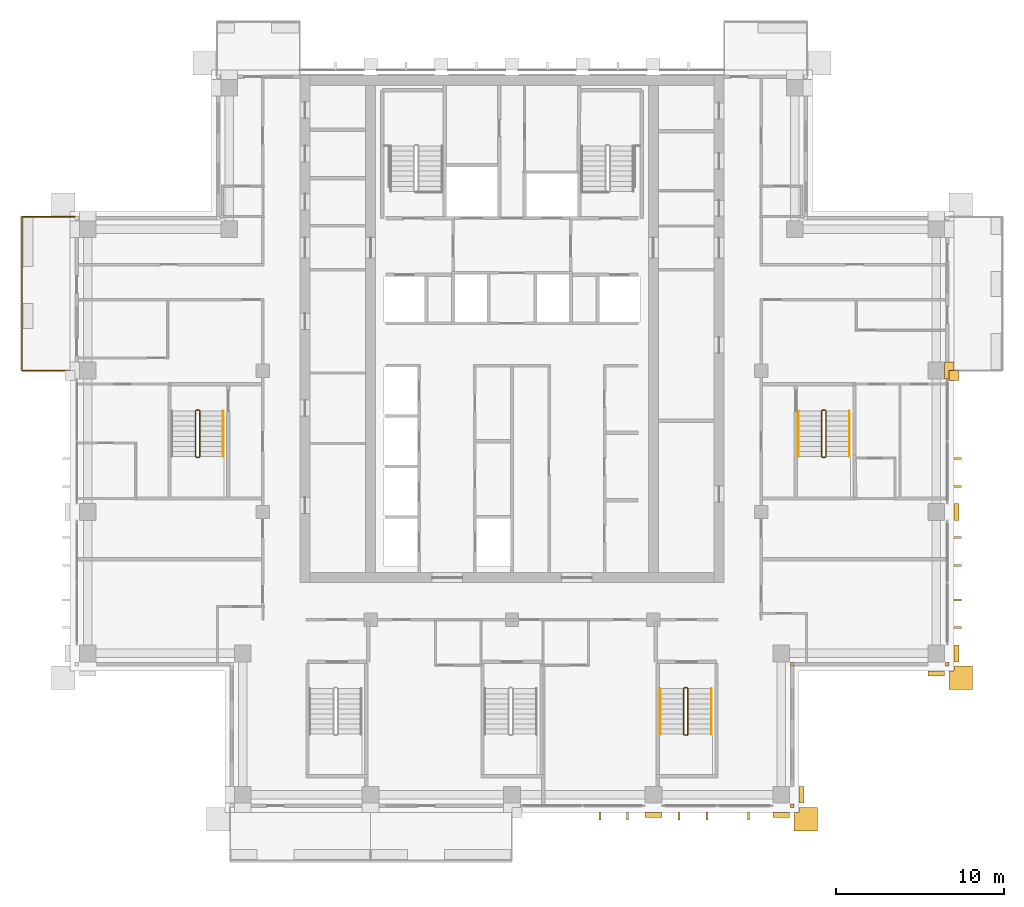
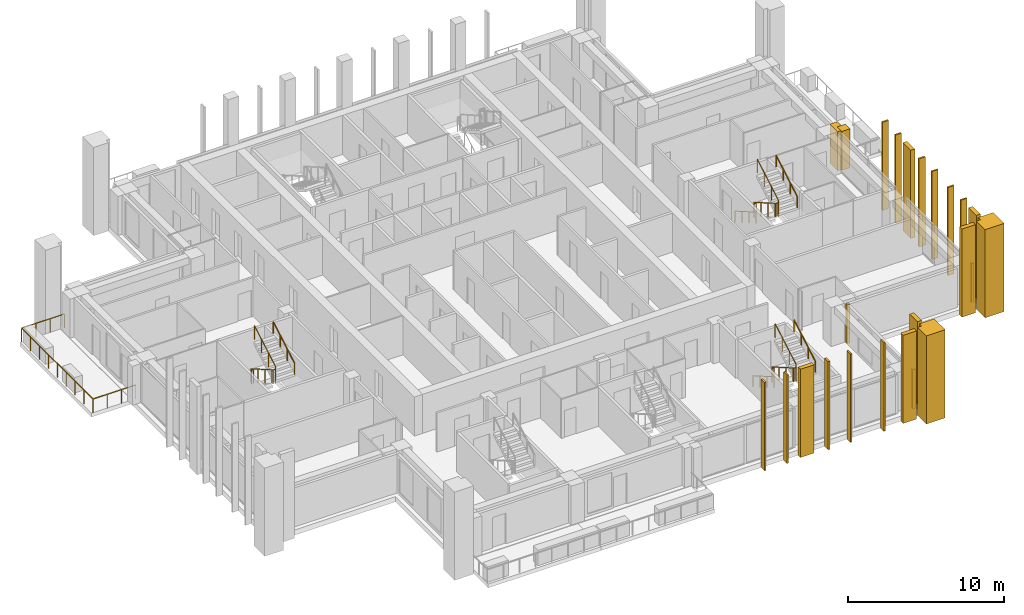
# One storey, part 14 of 16: 24 coverings, 9 railings.
"""IFC4 building model written with IfcOpenShell, lengths in metres."""

from ifc_helpers import new_model, si_unit, direction, frame, origin, origin_2d, place, context, subcontext, project, spatial, polyline, rectangle, outline, extrude, material, layer, layer_set, type_object, element, save


model = new_model("IFC4")

# Units and contexts
model_context = context("Model", 3, precision=1e-05, world=origin(), true_north=direction((0.0, 1.0)))
body_context = subcontext(model_context, "Body", "Model", "MODEL_VIEW")
ifc_project = project(units=[si_unit("LENGTHUNIT", "METRE"), si_unit("AREAUNIT", "SQUARE_METRE"), si_unit("VOLUMEUNIT", "CUBIC_METRE"), si_unit("PLANEANGLEUNIT", "RADIAN"), si_unit("MASSUNIT", "GRAM", prefix="KILO")], contexts=[model_context])

# Site, building, storey
site_placement = place(None, origin())
site = spatial("IfcSite", under=ifc_project, at=site_placement, CompositionType="ELEMENT")
building_placement = place(site_placement, origin())
building = spatial("IfcBuilding", under=site, at=building_placement, Name="Vermilion Ogive Tower", CompositionType="ELEMENT")
storey_placement = place(building_placement, frame((0.0, 0.0, 206.60009765625)))
storey = spatial("IfcBuildingStorey", under=building, at=storey_placement, Name="L54", CompositionType="ELEMENT", Elevation=206.60009765625)

# Railing
ifc_material_1 = material(Name="Stainless steel and glass", Category="steel")
railing_type_1 = type_object("IfcRailingType", Name="Balcony guard", PredefinedType="GUARDRAIL", material=ifc_material_1)
railing_1_placement = place(storey_placement, frame((-25.949951171875, 13.35009765625, -0.0400390625)))
element("IfcRailing", 1, at=railing_1_placement, inside=storey, type_object=railing_type_1, Name="Guard W01", PredefinedType="GUARDRAIL", context=body_context, shape_type="SweptSolid", body=[
    extrude(rectangle(XDim=0.048095703125, YDim=0.048095703125, at=origin_2d()), frame((0.0, 0.0, 1.076171875), z_axis=(-1.0, 0.0, 0.0), x_axis=(0.0, -1.0, 0.0)), (0.0, 0.0, 1.0), 3.16015625),
    extrude(rectangle(XDim=0.048095703125, YDim=0.048095703125, at=origin_2d()), frame((-3.16015625, 0.0, 1.076171875), z_axis=(0.0, -1.0, 0.0), x_axis=(1.0, 0.0, 0.0)), (0.0, 0.0, 1.0), 9.150146484375),
    extrude(rectangle(XDim=0.048095703125, YDim=0.048095703125, at=origin_2d()), frame((-3.16015625, -9.150146484375, 1.076171875), z_axis=(1.0, 0.0, 0.0), x_axis=(0.0, 1.0, 0.0)), (0.0, 0.0, 1.0), 3.16015625),
    extrude(rectangle(XDim=0.0419921875, YDim=0.0419921875, at=origin_2d()), origin(), (0.0, 0.0, 1.0), 1.052001953125),
    extrude(rectangle(XDim=0.0419921875, YDim=0.0419921875, at=origin_2d()), frame((-1.053466796875, 0.0, 0.0)), (0.0, 0.0, 1.0), 1.052001953125),
    extrude(rectangle(XDim=0.0419921875, YDim=0.0419921875, at=origin_2d()), frame((-2.106689453125, 0.0, 0.0)), (0.0, 0.0, 1.0), 1.052001953125),
    extrude(rectangle(XDim=0.0419921875, YDim=0.0419921875, at=origin_2d()), frame((-3.16015625, 0.0, 0.0)), (0.0, 0.0, 1.0), 1.052001953125),
    extrude(rectangle(XDim=0.0419921875, YDim=0.0419921875, at=origin_2d()), frame((-3.16015625, -1.143798828125, 0.0)), (0.0, 0.0, 1.0), 1.052001953125),
    extrude(rectangle(XDim=0.0419921875, YDim=0.0419921875, at=origin_2d()), frame((-3.16015625, -2.28759765625, 0.0)), (0.0, 0.0, 1.0), 1.052001953125),
    extrude(rectangle(XDim=0.0419921875, YDim=0.0419921875, at=origin_2d()), frame((-3.16015625, -3.431396484375, 0.0)), (0.0, 0.0, 1.0), 1.052001953125),
    extrude(rectangle(XDim=0.0419921875, YDim=0.0419921875, at=origin_2d()), frame((-3.16015625, -4.5751953125, 0.0)), (0.0, 0.0, 1.0), 1.052001953125),
    extrude(rectangle(XDim=0.0419921875, YDim=0.0419921875, at=origin_2d()), frame((-3.16015625, -5.71875, 0.0)), (0.0, 0.0, 1.0), 1.052001953125),
    extrude(rectangle(XDim=0.0419921875, YDim=0.0419921875, at=origin_2d()), frame((-3.16015625, -6.862548828125, 0.0)), (0.0, 0.0, 1.0), 1.052001953125),
    extrude(rectangle(XDim=0.0419921875, YDim=0.0419921875, at=origin_2d()), frame((-3.16015625, -8.00634765625, 0.0)), (0.0, 0.0, 1.0), 1.052001953125),
    extrude(rectangle(XDim=0.0419921875, YDim=0.0419921875, at=origin_2d()), frame((-3.16015625, -9.150146484375, 0.0)), (0.0, 0.0, 1.0), 1.052001953125),
    extrude(rectangle(XDim=0.0419921875, YDim=0.0419921875, at=origin_2d()), frame((-2.106689453125, -9.150146484375, 0.0)), (0.0, 0.0, 1.0), 1.052001953125),
    extrude(rectangle(XDim=0.0419921875, YDim=0.0419921875, at=origin_2d()), frame((-1.053466796875, -9.150146484375, 0.0)), (0.0, 0.0, 1.0), 1.052001953125),
    extrude(rectangle(XDim=0.0419921875, YDim=0.0419921875, at=origin_2d()), frame((0.0, -9.150146484375, 0.0)), (0.0, 0.0, 1.0), 1.052001953125),
])

# Coverings
ifc_material_2 = material(Name="Glazed ceramic screen")
ifc_layer = layer(ifc_material_2, 0.14990234375)
ifc_layer_set = layer_set([ifc_layer], Name="Ceramic solar screen fin")
covering_type_1 = type_object("IfcCoveringType", Name="Ceramic solar screen fin", PredefinedType="CLADDING", material=ifc_layer_set)
covering_1_placement = place(storey_placement, frame((0.0, 0.0, -0.400146484375)))
element("IfcCovering", 2, at=covering_1_placement, inside=storey, type_object=covering_type_1, Name="Solar screen blade S011", PredefinedType="CLADDING", context=body_context, shape_type="SweptSolid", body=[
    extrude(outline(polyline([(5.1650390625, -22.5), (5.284912109375, -22.5), (5.284912109375, -22.050048828125), (5.1650390625, -22.050048828125), (5.1650390625, -22.5)])), origin(), (0.0, 0.0, 1.0), 6.900146484375),
])
covering_2_placement = place(storey_placement, frame((0.0, 0.0, -0.400146484375)))
element("IfcCovering", 3, at=covering_2_placement, inside=storey, type_object=covering_type_1, Name="Solar screen blade S012", PredefinedType="CLADDING", context=body_context, shape_type="SweptSolid", body=[
    extrude(outline(polyline([(6.81494140625, -22.5), (6.93505859375, -22.5), (6.93505859375, -22.050048828125), (6.81494140625, -22.050048828125), (6.81494140625, -22.5)])), origin(), (0.0, 0.0, 1.0), 6.900146484375),
])
covering_3_placement = place(storey_placement, frame((0.0, 0.0, -0.400146484375)))
element("IfcCovering", 4, at=covering_3_placement, inside=storey, type_object=covering_type_1, Name="Solar screen blade S021", PredefinedType="CLADDING", context=body_context, shape_type="SweptSolid", body=[
    extrude(outline(polyline([(9.864990234375, -22.5), (9.985107421875, -22.5), (9.985107421875, -22.050048828125), (9.864990234375, -22.050048828125), (9.864990234375, -22.5)])), origin(), (0.0, 0.0, 1.0), 6.900146484375),
])
covering_4_placement = place(storey_placement, frame((0.0, 0.0, -0.400146484375)))
element("IfcCovering", 5, at=covering_4_placement, inside=storey, type_object=covering_type_1, Name="Solar screen blade S022", PredefinedType="CLADDING", context=body_context, shape_type="SweptSolid", body=[
    extrude(outline(polyline([(11.514892578125, -22.5), (11.635009765625, -22.5), (11.635009765625, -22.050048828125), (11.514892578125, -22.050048828125), (11.514892578125, -22.5)])), origin(), (0.0, 0.0, 1.0), 6.900146484375),
])
covering_5_placement = place(storey_placement, frame((0.0, 0.0, -0.400146484375)))
element("IfcCovering", 6, at=covering_5_placement, inside=storey, type_object=covering_type_1, Name="Solar screen blade S031", PredefinedType="CLADDING", context=body_context, shape_type="SweptSolid", body=[
    extrude(outline(polyline([(13.989990234375, -22.5), (14.110107421875, -22.5), (14.110107421875, -22.050048828125), (13.989990234375, -22.050048828125), (13.989990234375, -22.5)])), origin(), (0.0, 0.0, 1.0), 6.900146484375),
])
covering_6_placement = place(storey_placement, frame((0.0, 0.0, -0.400146484375)))
element("IfcCovering", 7, at=covering_6_placement, inside=storey, type_object=covering_type_1, Name="Solar screen blade E971", PredefinedType="CLADDING", context=body_context, shape_type="SweptSolid", body=[
    extrude(outline(polyline([(26.699951171875, -11.135009765625), (26.699951171875, -11.014892578125), (26.25, -11.014892578125), (26.25, -11.135009765625), (26.699951171875, -11.135009765625)])), origin(), (0.0, 0.0, 1.0), 6.900146484375),
])
covering_7_placement = place(storey_placement, frame((0.0, 0.0, -0.400146484375)))
element("IfcCovering", 8, at=covering_7_placement, inside=storey, type_object=covering_type_1, Name="Solar screen blade E972", PredefinedType="CLADDING", context=body_context, shape_type="SweptSolid", body=[
    extrude(outline(polyline([(26.699951171875, -9.485107421875), (26.699951171875, -9.364990234375), (26.25, -9.364990234375), (26.25, -9.485107421875), (26.699951171875, -9.485107421875)])), origin(), (0.0, 0.0, 1.0), 6.900146484375),
])
covering_8_placement = place(storey_placement, frame((0.0, 0.0, -0.400146484375)))
element("IfcCovering", 9, at=covering_8_placement, inside=storey, type_object=covering_type_1, Name="Solar screen blade E981", PredefinedType="CLADDING", context=body_context, shape_type="SweptSolid", body=[
    extrude(outline(polyline([(26.699951171875, -7.43505859375), (26.699951171875, -7.31494140625), (26.25, -7.31494140625), (26.25, -7.43505859375), (26.699951171875, -7.43505859375)])), origin(), (0.0, 0.0, 1.0), 6.900146484375),
])
covering_9_placement = place(storey_placement, frame((0.0, 0.0, -0.400146484375)))
element("IfcCovering", 10, at=covering_9_placement, inside=storey, type_object=covering_type_1, Name="Solar screen blade E982", PredefinedType="CLADDING", context=body_context, shape_type="SweptSolid", body=[
    extrude(outline(polyline([(26.699951171875, -5.784912109375), (26.699951171875, -5.6650390625), (26.25, -5.6650390625), (26.25, -5.784912109375), (26.699951171875, -5.784912109375)])), origin(), (0.0, 0.0, 1.0), 6.900146484375),
])
covering_10_placement = place(storey_placement, frame((0.0, 0.0, -0.400146484375)))
element("IfcCovering", 11, at=covering_10_placement, inside=storey, type_object=covering_type_1, Name="Solar screen blade E991", PredefinedType="CLADDING", context=body_context, shape_type="SweptSolid", body=[
    extrude(outline(polyline([(26.699951171875, -2.735107421875), (26.699951171875, -2.614990234375), (26.25, -2.614990234375), (26.25, -2.735107421875), (26.699951171875, -2.735107421875)])), origin(), (0.0, 0.0, 1.0), 6.900146484375),
])
covering_11_placement = place(storey_placement, frame((0.0, 0.0, -0.400146484375)))
element("IfcCovering", 12, at=covering_11_placement, inside=storey, type_object=covering_type_1, Name="Solar screen blade E992", PredefinedType="CLADDING", context=body_context, shape_type="SweptSolid", body=[
    extrude(outline(polyline([(26.699951171875, -1.0849609375), (26.699951171875, -0.965087890625), (26.25, -0.965087890625), (26.25, -1.0849609375), (26.699951171875, -1.0849609375)])), origin(), (0.0, 0.0, 1.0), 6.900146484375),
])

# Railings
ifc_material_3 = material(Name="Steel S355 painted", Category="steel")
railing_type_2 = type_object("IfcRailingType", Name="Stair guard 1100", PredefinedType="GUARDRAIL", material=ifc_material_3)
railing_2_placement = place(storey_placement, frame((10.39990234375, -14.64990234375, 0.0)))
element("IfcRailing", 13, at=railing_2_placement, inside=storey, type_object=railing_type_2, Name="L54 ST5 stair guard 4", PredefinedType="GUARDRAIL", context=body_context, shape_type="SweptSolid", body=[
    extrude(rectangle(XDim=0.048095703125, YDim=0.048095703125, at=origin_2d()), frame((0.0, 0.0, 1.076171875), z_axis=(-1.0, 0.0, 0.0), x_axis=(0.0, -1.0, 0.0)), (0.0, 0.0, 1.0), 0.14990234375),
    extrude(rectangle(XDim=0.048095703125, YDim=0.048095703125, at=origin_2d()), frame((-0.14990234375, 0.0, 1.076171875), z_axis=(-0.268603158521, -0.268603158521, 0.925043072762), x_axis=(0.707106781187, -0.707106781187, 0.0)), (0.0, 0.0, 1.0), 0.186279296875),
    extrude(rectangle(XDim=0.048095703125, YDim=0.048095703125, at=origin_2d()), frame((-0.199951171875, -0.050048828125, 1.24853515625), z_axis=(0.0, -0.866903762492, 0.498475542607), x_axis=(1.0, 0.0, 0.0)), (0.0, 0.0, 1.0), 3.114501953125),
    extrude(rectangle(XDim=0.048095703125, YDim=0.048095703125, at=origin_2d()), frame((-0.199951171875, -2.75, 2.80078125), z_axis=(0.707106781187, -0.707106781187, 0.0), x_axis=(0.707106781187, 0.707106781187, 0.0)), (0.0, 0.0, 1.0), 0.07080078125),
    extrude(rectangle(XDim=0.048095703125, YDim=0.048095703125, at=origin_2d()), frame((-0.14990234375, -2.800048828125, 2.80078125), z_axis=(1.0, 0.0, 0.0), x_axis=(0.0, 1.0, 0.0)), (0.0, 0.0, 1.0), 0.14990234375),
    extrude(rectangle(XDim=0.048095703125, YDim=0.048095703125, at=origin_2d()), frame((0.0, -2.800048828125, 2.80078125), z_axis=(0.268277960024, 0.268277960024, 0.925231793839), x_axis=(-0.707106781187, 0.707106781187, 0.0)), (0.0, 0.0, 1.0), 0.1865234375),
    extrude(rectangle(XDim=0.048095703125, YDim=0.048095703125, at=origin_2d()), frame((0.050048828125, -2.75, 2.9736328125), z_axis=(0.0, 0.866903762492, 0.498475542607), x_axis=(-1.0, 0.0, 0.0)), (0.0, 0.0, 1.0), 3.114501953125),
    extrude(rectangle(XDim=0.0419921875, YDim=0.0419921875, at=origin_2d()), origin(), (0.0, 0.0, 1.0), 1.052001953125),
    extrude(rectangle(XDim=0.0419921875, YDim=0.0419921875, at=origin_2d()), frame((-0.14990234375, 0.0, 0.0)), (0.0, 0.0, 1.0), 1.052001953125),
    extrude(rectangle(XDim=0.0419921875, YDim=0.0419921875, at=origin_2d()), frame((-0.199951171875, -0.050048828125, 0.17236328125)), (0.0, 0.0, 1.0), 1.052001953125),
    extrude(rectangle(XDim=0.0419921875, YDim=0.0419921875, at=origin_2d()), frame((-0.199951171875, -0.949951171875, 0.68994140625)), (0.0, 0.0, 1.0), 1.052001953125),
    extrude(rectangle(XDim=0.0419921875, YDim=0.0419921875, at=origin_2d()), frame((-0.199951171875, -1.85009765625, 1.207275390625)), (0.0, 0.0, 1.0), 1.052001953125),
    extrude(rectangle(XDim=0.0419921875, YDim=0.0419921875, at=origin_2d()), frame((-0.199951171875, -2.75, 1.724853515625)), (0.0, 0.0, 1.0), 1.052001953125),
    extrude(rectangle(XDim=0.0419921875, YDim=0.0419921875, at=origin_2d()), frame((-0.14990234375, -2.800048828125, 1.724853515625)), (0.0, 0.0, 1.0), 1.052001953125),
    extrude(rectangle(XDim=0.0419921875, YDim=0.0419921875, at=origin_2d()), frame((0.0, -2.800048828125, 1.724853515625)), (0.0, 0.0, 1.0), 1.052001953125),
    extrude(rectangle(XDim=0.0419921875, YDim=0.0419921875, at=origin_2d()), frame((0.050048828125, -2.75, 1.8974609375)), (0.0, 0.0, 1.0), 1.052001953125),
    extrude(rectangle(XDim=0.0419921875, YDim=0.0419921875, at=origin_2d()), frame((0.050048828125, -1.85009765625, 2.4150390625)), (0.0, 0.0, 1.0), 1.052001953125),
    extrude(rectangle(XDim=0.0419921875, YDim=0.0419921875, at=origin_2d()), frame((0.050048828125, -0.949951171875, 2.932373046875)), (0.0, 0.0, 1.0), 1.052001953125),
    extrude(rectangle(XDim=0.0419921875, YDim=0.0419921875, at=origin_2d()), frame((0.050048828125, -0.050048828125, 3.449951171875)), (0.0, 0.0, 1.0), 1.052001953125),
])
railing_3_placement = place(storey_placement, frame((18.60009765625, 1.85009765625, 0.0)))
element("IfcRailing", 14, at=railing_3_placement, inside=storey, type_object=railing_type_2, Name="L54 ST8 stair guard 4", PredefinedType="GUARDRAIL", context=body_context, shape_type="SweptSolid", body=[
    extrude(rectangle(XDim=0.048095703125, YDim=0.048095703125, at=origin_2d()), frame((0.0, 0.0, 1.076171875), z_axis=(-1.0, 0.0, 0.0), x_axis=(0.0, -1.0, 0.0)), (0.0, 0.0, 1.0), 0.150146484375),
    extrude(rectangle(XDim=0.048095703125, YDim=0.048095703125, at=origin_2d()), frame((-0.150146484375, 0.0, 1.076171875), z_axis=(-0.268603158521, -0.268603158521, 0.925043072762), x_axis=(0.707106781187, -0.707106781187, 0.0)), (0.0, 0.0, 1.0), 0.186279296875),
    extrude(rectangle(XDim=0.048095703125, YDim=0.048095703125, at=origin_2d()), frame((-0.2001953125, -0.050048828125, 1.24853515625), z_axis=(0.0, -0.866903762492, 0.498475542607), x_axis=(1.0, 0.0, 0.0)), (0.0, 0.0, 1.0), 3.114501953125),
    extrude(rectangle(XDim=0.048095703125, YDim=0.048095703125, at=origin_2d()), frame((-0.2001953125, -2.75, 2.80078125), z_axis=(0.707106781187, -0.707106781187, 0.0), x_axis=(0.707106781187, 0.707106781187, 0.0)), (0.0, 0.0, 1.0), 0.07080078125),
    extrude(rectangle(XDim=0.048095703125, YDim=0.048095703125, at=origin_2d()), frame((-0.150146484375, -2.800048828125, 2.80078125), z_axis=(1.0, 0.0, 0.0), x_axis=(0.0, 1.0, 0.0)), (0.0, 0.0, 1.0), 0.150146484375),
    extrude(rectangle(XDim=0.048095703125, YDim=0.048095703125, at=origin_2d()), frame((0.0, -2.800048828125, 2.80078125), z_axis=(0.267062837333, 0.268371968888, 0.925556009775), x_axis=(-0.708833529934, 0.705375805398, 0.0)), (0.0, 0.0, 1.0), 0.1865234375),
    extrude(rectangle(XDim=0.048095703125, YDim=0.048095703125, at=origin_2d()), frame((0.0498046875, -2.75, 2.9736328125), z_axis=(0.0, 0.866903762492, 0.498475542607), x_axis=(-1.0, 0.0, 0.0)), (0.0, 0.0, 1.0), 3.114501953125),
    extrude(rectangle(XDim=0.0419921875, YDim=0.0419921875, at=origin_2d()), origin(), (0.0, 0.0, 1.0), 1.052001953125),
    extrude(rectangle(XDim=0.0419921875, YDim=0.0419921875, at=origin_2d()), frame((-0.150146484375, 0.0, 0.0)), (0.0, 0.0, 1.0), 1.052001953125),
    extrude(rectangle(XDim=0.0419921875, YDim=0.0419921875, at=origin_2d()), frame((-0.2001953125, -0.050048828125, 0.17236328125)), (0.0, 0.0, 1.0), 1.052001953125),
    extrude(rectangle(XDim=0.0419921875, YDim=0.0419921875, at=origin_2d()), frame((-0.2001953125, -0.949951171875, 0.68994140625)), (0.0, 0.0, 1.0), 1.052001953125),
    extrude(rectangle(XDim=0.0419921875, YDim=0.0419921875, at=origin_2d()), frame((-0.2001953125, -1.85009765625, 1.207275390625)), (0.0, 0.0, 1.0), 1.052001953125),
    extrude(rectangle(XDim=0.0419921875, YDim=0.0419921875, at=origin_2d()), frame((-0.2001953125, -2.75, 1.724853515625)), (0.0, 0.0, 1.0), 1.052001953125),
    extrude(rectangle(XDim=0.0419921875, YDim=0.0419921875, at=origin_2d()), frame((-0.150146484375, -2.800048828125, 1.724853515625)), (0.0, 0.0, 1.0), 1.052001953125),
    extrude(rectangle(XDim=0.0419921875, YDim=0.0419921875, at=origin_2d()), frame((0.0, -2.800048828125, 1.724853515625)), (0.0, 0.0, 1.0), 1.052001953125),
    extrude(rectangle(XDim=0.0419921875, YDim=0.0419921875, at=origin_2d()), frame((0.0498046875, -2.75, 1.8974609375)), (0.0, 0.0, 1.0), 1.052001953125),
    extrude(rectangle(XDim=0.0419921875, YDim=0.0419921875, at=origin_2d()), frame((0.0498046875, -1.85009765625, 2.4150390625)), (0.0, 0.0, 1.0), 1.052001953125),
    extrude(rectangle(XDim=0.0419921875, YDim=0.0419921875, at=origin_2d()), frame((0.0498046875, -0.949951171875, 2.932373046875)), (0.0, 0.0, 1.0), 1.052001953125),
    extrude(rectangle(XDim=0.0419921875, YDim=0.0419921875, at=origin_2d()), frame((0.0498046875, -0.050048828125, 3.449951171875)), (0.0, 0.0, 1.0), 1.052001953125),
])
railing_4_placement = place(storey_placement, frame((-18.60009765625, 1.85009765625, 0.0)))
element("IfcRailing", 15, at=railing_4_placement, inside=storey, type_object=railing_type_2, Name="L54 ST9 stair guard 4", PredefinedType="GUARDRAIL", context=body_context, shape_type="SweptSolid", body=[
    extrude(rectangle(XDim=0.048095703125, YDim=0.048095703125, at=origin_2d()), frame((0.0, 0.0, 1.076171875), z_axis=(-1.0, 0.0, 0.0), x_axis=(0.0, -1.0, 0.0)), (0.0, 0.0, 1.0), 0.14990234375),
    extrude(rectangle(XDim=0.048095703125, YDim=0.048095703125, at=origin_2d()), frame((-0.14990234375, 0.0, 1.076171875), z_axis=(-0.268603158521, -0.268603158521, 0.925043072762), x_axis=(0.707106781187, -0.707106781187, 0.0)), (0.0, 0.0, 1.0), 0.186279296875),
    extrude(rectangle(XDim=0.048095703125, YDim=0.048095703125, at=origin_2d()), frame((-0.199951171875, -0.050048828125, 1.24853515625), z_axis=(0.0, -0.866903762492, 0.498475542607), x_axis=(1.0, 0.0, 0.0)), (0.0, 0.0, 1.0), 3.114501953125),
    extrude(rectangle(XDim=0.048095703125, YDim=0.048095703125, at=origin_2d()), frame((-0.199951171875, -2.75, 2.80078125), z_axis=(0.707106781187, -0.707106781187, 0.0), x_axis=(0.707106781187, 0.707106781187, 0.0)), (0.0, 0.0, 1.0), 0.07080078125),
    extrude(rectangle(XDim=0.048095703125, YDim=0.048095703125, at=origin_2d()), frame((-0.14990234375, -2.800048828125, 2.80078125), z_axis=(1.0, 0.0, 0.0), x_axis=(0.0, 1.0, 0.0)), (0.0, 0.0, 1.0), 0.14990234375),
    extrude(rectangle(XDim=0.048095703125, YDim=0.048095703125, at=origin_2d()), frame((0.0, -2.800048828125, 2.80078125), z_axis=(0.268277960024, 0.268277960024, 0.925231793839), x_axis=(-0.707106781187, 0.707106781187, 0.0)), (0.0, 0.0, 1.0), 0.1865234375),
    extrude(rectangle(XDim=0.048095703125, YDim=0.048095703125, at=origin_2d()), frame((0.050048828125, -2.75, 2.9736328125), z_axis=(0.0, 0.866903762492, 0.498475542607), x_axis=(-1.0, 0.0, 0.0)), (0.0, 0.0, 1.0), 3.114501953125),
    extrude(rectangle(XDim=0.0419921875, YDim=0.0419921875, at=origin_2d()), origin(), (0.0, 0.0, 1.0), 1.052001953125),
    extrude(rectangle(XDim=0.0419921875, YDim=0.0419921875, at=origin_2d()), frame((-0.14990234375, 0.0, 0.0)), (0.0, 0.0, 1.0), 1.052001953125),
    extrude(rectangle(XDim=0.0419921875, YDim=0.0419921875, at=origin_2d()), frame((-0.199951171875, -0.050048828125, 0.17236328125)), (0.0, 0.0, 1.0), 1.052001953125),
    extrude(rectangle(XDim=0.0419921875, YDim=0.0419921875, at=origin_2d()), frame((-0.199951171875, -0.949951171875, 0.68994140625)), (0.0, 0.0, 1.0), 1.052001953125),
    extrude(rectangle(XDim=0.0419921875, YDim=0.0419921875, at=origin_2d()), frame((-0.199951171875, -1.85009765625, 1.207275390625)), (0.0, 0.0, 1.0), 1.052001953125),
    extrude(rectangle(XDim=0.0419921875, YDim=0.0419921875, at=origin_2d()), frame((-0.199951171875, -2.75, 1.724853515625)), (0.0, 0.0, 1.0), 1.052001953125),
    extrude(rectangle(XDim=0.0419921875, YDim=0.0419921875, at=origin_2d()), frame((-0.14990234375, -2.800048828125, 1.724853515625)), (0.0, 0.0, 1.0), 1.052001953125),
    extrude(rectangle(XDim=0.0419921875, YDim=0.0419921875, at=origin_2d()), frame((0.0, -2.800048828125, 1.724853515625)), (0.0, 0.0, 1.0), 1.052001953125),
    extrude(rectangle(XDim=0.0419921875, YDim=0.0419921875, at=origin_2d()), frame((0.050048828125, -2.75, 1.8974609375)), (0.0, 0.0, 1.0), 1.052001953125),
    extrude(rectangle(XDim=0.0419921875, YDim=0.0419921875, at=origin_2d()), frame((0.050048828125, -1.85009765625, 2.4150390625)), (0.0, 0.0, 1.0), 1.052001953125),
    extrude(rectangle(XDim=0.0419921875, YDim=0.0419921875, at=origin_2d()), frame((0.050048828125, -0.949951171875, 2.932373046875)), (0.0, 0.0, 1.0), 1.052001953125),
    extrude(rectangle(XDim=0.0419921875, YDim=0.0419921875, at=origin_2d()), frame((0.050048828125, -0.050048828125, 3.449951171875)), (0.0, 0.0, 1.0), 1.052001953125),
])
ifc_material_4 = material(Name="Stainless steel", Category="steel")
railing_type_3 = type_object("IfcRailingType", Name="Stair handrail 900", PredefinedType="HANDRAIL", material=ifc_material_4)
railing_5_placement = place(storey_placement, frame((8.800048828125, -14.699951171875, 0.17236328125)))
element("IfcRailing", 16, at=railing_5_placement, inside=storey, type_object=railing_type_3, Name="L54 ST5 stair handrail 1", PredefinedType="HANDRAIL", context=body_context, shape_type="SweptSolid", body=[
    extrude(rectangle(XDim=0.048095703125, YDim=0.048095703125, at=origin_2d()), frame((0.0, 0.0, 0.8759765625), z_axis=(0.0, -0.866903762492, 0.498475542607), x_axis=(1.0, 0.0, 0.0)), (0.0, 0.0, 1.0), 3.114501953125),
    extrude(rectangle(XDim=0.0419921875, YDim=0.0419921875, at=origin_2d()), origin(), (0.0, 0.0, 1.0), 0.851806640625),
    extrude(rectangle(XDim=0.0419921875, YDim=0.0419921875, at=origin_2d()), frame((0.0, -0.89990234375, 0.517578125)), (0.0, 0.0, 1.0), 0.851806640625),
    extrude(rectangle(XDim=0.0419921875, YDim=0.0419921875, at=origin_2d()), frame((0.0, -1.800048828125, 1.034912109375)), (0.0, 0.0, 1.0), 0.851806640625),
    extrude(rectangle(XDim=0.0419921875, YDim=0.0419921875, at=origin_2d()), frame((0.0, -2.699951171875, 1.552490234375)), (0.0, 0.0, 1.0), 0.851806640625),
])
railing_6_placement = place(storey_placement, frame((11.85009765625, -17.39990234375, 1.8974609375)))
element("IfcRailing", 17, at=railing_6_placement, inside=storey, type_object=railing_type_3, Name="L54 ST5 stair handrail 2", PredefinedType="HANDRAIL", context=body_context, shape_type="SweptSolid", body=[
    extrude(rectangle(XDim=0.048095703125, YDim=0.048095703125, at=origin_2d()), frame((0.0, 0.0, 0.8759765625), z_axis=(0.0, 0.866903762492, 0.498475542607), x_axis=(-1.0, 0.0, 0.0)), (0.0, 0.0, 1.0), 3.114501953125),
    extrude(rectangle(XDim=0.0419921875, YDim=0.0419921875, at=origin_2d()), origin(), (0.0, 0.0, 1.0), 0.851806640625),
    extrude(rectangle(XDim=0.0419921875, YDim=0.0419921875, at=origin_2d()), frame((0.0, 0.89990234375, 0.517578125)), (0.0, 0.0, 1.0), 0.851806640625),
    extrude(rectangle(XDim=0.0419921875, YDim=0.0419921875, at=origin_2d()), frame((0.0, 1.800048828125, 1.034912109375)), (0.0, 0.0, 1.0), 0.851806640625),
    extrude(rectangle(XDim=0.0419921875, YDim=0.0419921875, at=origin_2d()), frame((0.0, 2.699951171875, 1.552490234375)), (0.0, 0.0, 1.0), 0.851806640625),
])
railing_7_placement = place(storey_placement, frame((17.0, 1.800048828125, 0.17236328125)))
element("IfcRailing", 18, at=railing_7_placement, inside=storey, type_object=railing_type_3, Name="L54 ST8 stair handrail 1", PredefinedType="HANDRAIL", context=body_context, shape_type="SweptSolid", body=[
    extrude(rectangle(XDim=0.048095703125, YDim=0.048095703125, at=origin_2d()), frame((0.0, 0.0, 0.8759765625), z_axis=(0.0, -0.866903762492, 0.498475542607), x_axis=(1.0, 0.0, 0.0)), (0.0, 0.0, 1.0), 3.114501953125),
    extrude(rectangle(XDim=0.0419921875, YDim=0.0419921875, at=origin_2d()), origin(), (0.0, 0.0, 1.0), 0.851806640625),
    extrude(rectangle(XDim=0.0419921875, YDim=0.0419921875, at=origin_2d()), frame((0.0, -0.89990234375, 0.517578125)), (0.0, 0.0, 1.0), 0.851806640625),
    extrude(rectangle(XDim=0.0419921875, YDim=0.0419921875, at=origin_2d()), frame((0.0, -1.800048828125, 1.034912109375)), (0.0, 0.0, 1.0), 0.851806640625),
    extrude(rectangle(XDim=0.0419921875, YDim=0.0419921875, at=origin_2d()), frame((0.0, -2.699951171875, 1.552490234375)), (0.0, 0.0, 1.0), 0.851806640625),
])
for number, where, name in (
    (19, (20.050048828125, -0.89990234375, 1.8974609375), "L54 ST8 stair handrail 2"),
    (20, (-17.14990234375, -0.89990234375, 1.8974609375), "L54 ST9 stair handrail 2"),
):
    element("IfcRailing", number, at=place(storey_placement, frame(where)), inside=storey, type_object=railing_type_3, Name=name, PredefinedType="HANDRAIL", context=body_context, shape_type="SweptSolid", body=[
        extrude(rectangle(XDim=0.048095703125, YDim=0.048095703125, at=origin_2d()), frame((0.0, 0.0, 0.8759765625), z_axis=(0.0, 0.866903762492, 0.498475542607), x_axis=(-1.0, 0.0, 0.0)), (0.0, 0.0, 1.0), 3.114501953125),
        extrude(rectangle(XDim=0.0419921875, YDim=0.0419921875, at=origin_2d()), origin(), (0.0, 0.0, 1.0), 0.851806640625),
        extrude(rectangle(XDim=0.0419921875, YDim=0.0419921875, at=origin_2d()), frame((0.0, 0.89990234375, 0.517578125)), (0.0, 0.0, 1.0), 0.851806640625),
        extrude(rectangle(XDim=0.0419921875, YDim=0.0419921875, at=origin_2d()), frame((0.0, 1.800048828125, 1.034912109375)), (0.0, 0.0, 1.0), 0.851806640625),
        extrude(rectangle(XDim=0.0419921875, YDim=0.0419921875, at=origin_2d()), frame((0.0, 2.699951171875, 1.552490234375)), (0.0, 0.0, 1.0), 0.851806640625),
    ])

# Coverings
ifc_material_5 = material(Name="Stone cladding", Category="masonry")
covering_type_2 = type_object("IfcCoveringType", Name="Stone corner buttress", PredefinedType="CLADDING", material=ifc_material_5)
covering_12_placement = place(storey_placement, origin())
element("IfcCovering", 21, at=covering_12_placement, inside=storey, type_object=covering_type_2, Name="Stone crease pier EK", PredefinedType="CLADDING", context=body_context, shape_type="SweptSolid", body=[
    extrude(outline(polyline([(26.550048828125, 3.60009765625), (26.550048828125, 4.199951171875), (25.949951171875, 4.199951171875), (25.949951171875, 3.60009765625), (26.550048828125, 3.60009765625)])), origin(), (0.0, 0.0, 1.0), 3.0498046875),
])
covering_13_placement = place(storey_placement, frame((0.0, 0.0, -0.400146484375)))
element("IfcCovering", 22, at=covering_13_placement, inside=storey, type_object=covering_type_2, Name="Stone corner buttress X11", PredefinedType="CLADDING", context=body_context, shape_type="SweptSolid", body=[
    extrude(outline(polyline([(16.75, -22.050048828125), (17.050048828125, -22.050048828125), (17.050048828125, -21.75), (18.14990234375, -21.75), (18.14990234375, -23.14990234375), (16.75, -23.14990234375), (16.75, -22.050048828125)])), origin(), (0.0, 0.0, 1.0), 6.900146484375),
])
covering_14_placement = place(storey_placement, frame((0.0, 0.0, -0.400146484375)))
element("IfcCovering", 23, at=covering_14_placement, inside=storey, type_object=covering_type_2, Name="Stone corner buttress E1", PredefinedType="CLADDING", context=body_context, shape_type="SweptSolid", body=[
    extrude(outline(polyline([(25.949951171875, -13.64990234375), (26.25, -13.64990234375), (26.25, -13.35009765625), (27.35009765625, -13.35009765625), (27.35009765625, -14.75), (25.949951171875, -14.75), (25.949951171875, -13.64990234375)])), origin(), (0.0, 0.0, 1.0), 6.900146484375),
])
ifc_material_6 = material(Name="Stone cladding", Category="masonry")
covering_type_3 = type_object("IfcCoveringType", Name="Stone pier", PredefinedType="CLADDING", material=ifc_material_6)
covering_15_placement = place(storey_placement, origin())
element("IfcCovering", 24, at=covering_15_placement, inside=storey, type_object=covering_type_3, Name="Stone corner pier SE1", PredefinedType="CLADDING", context=body_context, shape_type="SweptSolid", body=[
    extrude(outline(polyline([(16.550048828125, -21.550048828125), (16.75, -21.550048828125), (16.75, -21.75), (16.550048828125, -21.75), (16.550048828125, -21.550048828125)])), origin(), (0.0, 0.0, 1.0), 3.0498046875),
])
covering_16_placement = place(storey_placement, origin())
element("IfcCovering", 25, at=covering_16_placement, inside=storey, type_object=covering_type_3, Name="Stone corner pier X1E1", PredefinedType="CLADDING", context=body_context, shape_type="SweptSolid", body=[
    extrude(outline(polyline([(16.550048828125, -13.14990234375), (16.75, -13.14990234375), (16.75, -13.35009765625), (16.550048828125, -13.35009765625), (16.550048828125, -13.14990234375)])), origin(), (0.0, 0.0, 1.0), 3.0498046875),
])
covering_17_placement = place(storey_placement, origin())
element("IfcCovering", 26, at=covering_17_placement, inside=storey, type_object=covering_type_3, Name="Stone corner pier X2E1", PredefinedType="CLADDING", context=body_context, shape_type="SweptSolid", body=[
    extrude(outline(polyline([(25.75, -13.14990234375), (25.949951171875, -13.14990234375), (25.949951171875, -13.35009765625), (25.75, -13.35009765625), (25.75, -13.14990234375)])), origin(), (0.0, 0.0, 1.0), 3.0498046875),
])
covering_18_placement = place(storey_placement, frame((0.0, 0.0, -0.400146484375)))
element("IfcCovering", 27, at=covering_18_placement, inside=storey, type_object=covering_type_3, Name="Stone pier P+0084-210", PredefinedType="CLADDING", context=body_context, shape_type="SweptSolid", body=[
    extrude(outline(polyline([(8.89990234375, -22.35009765625), (7.89990234375, -22.35009765625), (7.89990234375, -22.050048828125), (8.89990234375, -22.050048828125), (8.89990234375, -22.35009765625)])), origin(), (0.0, 0.0, 1.0), 6.900146484375),
])
covering_19_placement = place(storey_placement, frame((0.0, 0.0, -0.400146484375)))
element("IfcCovering", 28, at=covering_19_placement, inside=storey, type_object=covering_type_3, Name="Stone pier P+0160-210S", PredefinedType="CLADDING", context=body_context, shape_type="SweptSolid", body=[
    extrude(outline(polyline([(16.5, -22.35009765625), (15.5, -22.35009765625), (15.5, -22.050048828125), (16.5, -22.050048828125), (16.5, -22.35009765625)])), origin(), (0.0, 0.0, 1.0), 6.900146484375),
])
covering_20_placement = place(storey_placement, frame((0.0, 0.0, -0.400146484375)))
element("IfcCovering", 29, at=covering_20_placement, inside=storey, type_object=covering_type_3, Name="Stone pier P+0160-210X1", PredefinedType="CLADDING", context=body_context, shape_type="SweptSolid", body=[
    extrude(outline(polyline([(17.35009765625, -21.5), (17.050048828125, -21.5), (17.050048828125, -20.5), (17.35009765625, -20.5), (17.35009765625, -21.5)])), origin(), (0.0, 0.0, 1.0), 6.900146484375),
])
covering_21_placement = place(storey_placement, frame((0.0, 0.0, -0.400146484375)))
element("IfcCovering", 30, at=covering_21_placement, inside=storey, type_object=covering_type_3, Name="Stone pier P+0252-042", PredefinedType="CLADDING", context=body_context, shape_type="SweptSolid", body=[
    extrude(outline(polyline([(26.550048828125, -3.699951171875), (26.550048828125, -4.699951171875), (26.25, -4.699951171875), (26.25, -3.699951171875), (26.550048828125, -3.699951171875)])), origin(), (0.0, 0.0, 1.0), 6.900146484375),
])
covering_22_placement = place(storey_placement, frame((0.0, 0.0, -0.400146484375)))
element("IfcCovering", 31, at=covering_22_placement, inside=storey, type_object=covering_type_3, Name="Stone pier P+0252-126X2", PredefinedType="CLADDING", context=body_context, shape_type="SweptSolid", body=[
    extrude(outline(polyline([(25.699951171875, -13.949951171875), (24.699951171875, -13.949951171875), (24.699951171875, -13.64990234375), (25.699951171875, -13.64990234375), (25.699951171875, -13.949951171875)])), origin(), (0.0, 0.0, 1.0), 6.900146484375),
])
covering_23_placement = place(storey_placement, frame((0.0, 0.0, -0.400146484375)))
element("IfcCovering", 32, at=covering_23_placement, inside=storey, type_object=covering_type_3, Name="Stone pier P+0252-126E", PredefinedType="CLADDING", context=body_context, shape_type="SweptSolid", body=[
    extrude(outline(polyline([(26.550048828125, -13.10009765625), (26.25, -13.10009765625), (26.25, -12.10009765625), (26.550048828125, -12.10009765625), (26.550048828125, -13.10009765625)])), origin(), (0.0, 0.0, 1.0), 6.900146484375),
])
covering_24_placement = place(storey_placement, origin())
element("IfcCovering", 33, at=covering_24_placement, inside=storey, type_object=covering_type_3, Name="Stone pier P+0252+042", PredefinedType="CLADDING", context=body_context, shape_type="SweptSolid", body=[
    extrude(outline(polyline([(25.699951171875, 4.699951171875), (26.25, 4.699951171875), (26.25, 4.199951171875), (25.949951171875, 4.199951171875), (25.949951171875, 3.699951171875), (25.699951171875, 3.699951171875), (25.699951171875, 4.699951171875), (25.699951171875, 4.699951171875)])), origin(), (0.0, 0.0, 1.0), 3.0498046875),
])

save(model, "model.ifc")
